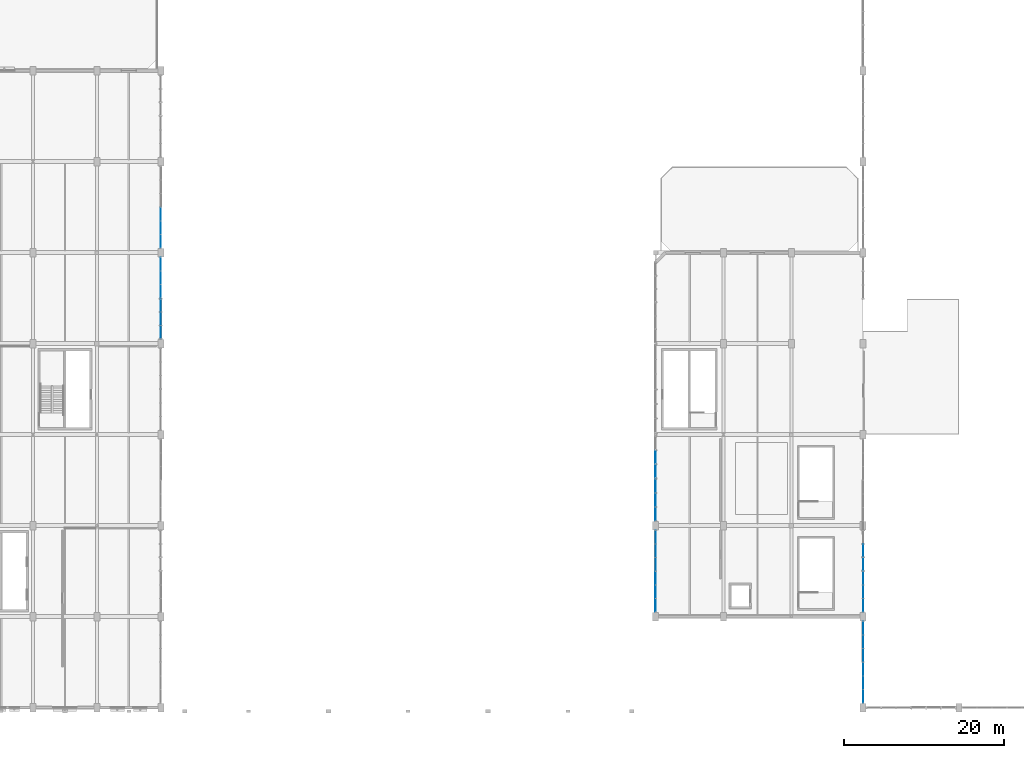
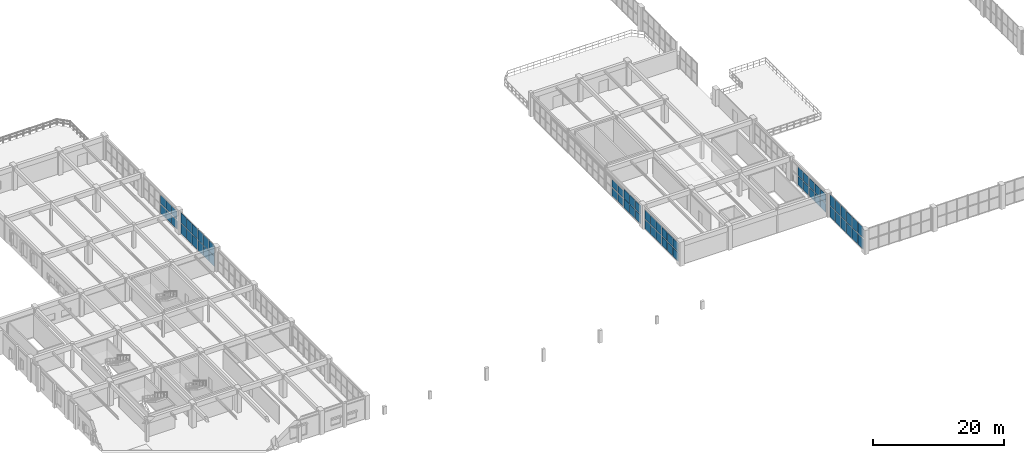
# One storey, part 55 of 80: 62 plates, 11 elements without a shape of their own.
"""IFC4 building model written with IfcOpenShell, lengths in metres."""

from ifc_helpers import new_model, si_unit, direction, frame, origin, origin_2d, place, context, subcontext, project, spatial, rectangle, extrude, material, layer, layer_set, type_object, element, aggregate, save


model = new_model("IFC4")

# Units and contexts
model_context = context("Model", 3, precision=1e-05, world=origin(), true_north=direction((0.0, 1.0)))
body_context = subcontext(model_context, "Body", "Model", "MODEL_VIEW")
ifc_project = project(units=[si_unit("LENGTHUNIT", "METRE"), si_unit("AREAUNIT", "SQUARE_METRE"), si_unit("VOLUMEUNIT", "CUBIC_METRE"), si_unit("PLANEANGLEUNIT", "RADIAN"), si_unit("MASSUNIT", "GRAM", prefix="KILO"), si_unit("POWERUNIT", "WATT"), si_unit("THERMODYNAMICTEMPERATUREUNIT", "KELVIN")], contexts=[model_context])

# Site, building, storey
site_placement = place(None, origin())
site = spatial("IfcSite", under=ifc_project, at=site_placement, CompositionType="ELEMENT")
building_placement = place(site_placement, origin())
building = spatial("IfcBuilding", under=site, at=building_placement, Name="Kelmbourne Parkland Aquatics Centre", CompositionType="ELEMENT")
storey_placement = place(building_placement, frame((0.0, 0.0, 10.199951171875)))
storey = spatial("IfcBuildingStorey", under=building, at=storey_placement, Name="L02", CompositionType="ELEMENT", Elevation=10.199951171875)

# Curtain wall, plates
ifc_material_1 = material(Name="Thermally broken anodised aluminium framing", Category="aluminium")
ifc_layer_1 = layer(ifc_material_1, 0.179931640625)
ifc_layer_set_1 = layer_set([ifc_layer_1], Name="Thermally broken anodised aluminium framing")
curtain_wall_type_1 = type_object("IfcCurtainWallType", Name="CW-05", PredefinedType="NOTDEFINED", material=ifc_layer_set_1)
curtain_wall_1_placement = place(storey_placement, origin())
curtain_wall_1 = element("IfcCurtainWall", 1, at=curtain_wall_1_placement, inside=storey, type_object=curtain_wall_type_1, Name="Wave-hall clerestory curtain wall CW-L02-005", PredefinedType="NOTDEFINED")
ifc_material_2 = material(Name="Double-glazed low-e laminated safety glass", Category="glass")
ifc_layer_2 = layer(ifc_material_2, 0.0419921875)
ifc_layer_set_2 = layer_set([ifc_layer_2], Name="Double-glazed low-e laminated safety glass")
plate_type_1 = type_object("IfcPlateType", Name="PL-CLR-1", PredefinedType="USERDEFINED", material=ifc_layer_set_2)
plate_1_placement = place(storey_placement, frame((128.0, 2.231689453125, 2.30908203125), z_axis=(0.0, 0.0, 1.0), x_axis=(0.0, 1.0, 0.0)))
plate_1 = element("IfcPlate", 2, at=plate_1_placement, type_object=plate_type_1, Name="CW-L02-005 clerestory glazing 1-0", ObjectType="CLERESTORY GLAZING", PredefinedType="USERDEFINED", context=body_context, shape_type="SweptSolid", body=[
    extrude(rectangle(XDim=1.641357421875, YDim=0.0419921875, at=origin_2d()), origin(), (0.0, 0.0, 1.0), 1.964111328125),
])
plate_2_placement = place(storey_placement, frame((128.0, 3.926025390625, 2.30908203125), z_axis=(0.0, 0.0, 1.0), x_axis=(0.0, 1.0, 0.0)))
plate_2 = element("IfcPlate", 3, at=plate_2_placement, type_object=plate_type_1, Name="CW-L02-005 clerestory glazing 1-1", ObjectType="CLERESTORY GLAZING", PredefinedType="USERDEFINED", context=body_context, shape_type="SweptSolid", body=[
    extrude(rectangle(XDim=1.641357421875, YDim=0.0419921875, at=origin_2d()), origin(), (0.0, 0.0, 1.0), 1.964111328125),
])
plate_3_placement = place(storey_placement, frame((128.0, 5.620361328125, 2.30908203125), z_axis=(0.0, 0.0, 1.0), x_axis=(0.0, 1.0, 0.0)))
plate_3 = element("IfcPlate", 4, at=plate_3_placement, type_object=plate_type_1, Name="CW-L02-005 clerestory glazing 1-2", ObjectType="CLERESTORY GLAZING", PredefinedType="USERDEFINED", context=body_context, shape_type="SweptSolid", body=[
    extrude(rectangle(XDim=1.641357421875, YDim=0.0419921875, at=origin_2d()), origin(), (0.0, 0.0, 1.0), 1.964111328125),
])

ifc_layer_3 = layer(ifc_material_1, 0.179931640625)
ifc_layer_set_3 = layer_set([ifc_layer_3], Name="Thermally broken anodised aluminium framing")
curtain_wall_type_2 = type_object("IfcCurtainWallType", Name="CW-12", PredefinedType="NOTDEFINED", material=ifc_layer_set_3)
curtain_wall_2_placement = place(storey_placement, origin())
curtain_wall_2 = element("IfcCurtainWall", 5, at=curtain_wall_2_placement, inside=storey, type_object=curtain_wall_type_2, Name="Wave-hall clerestory curtain wall CW-L02-012", PredefinedType="NOTDEFINED")
plate_4_placement = place(storey_placement, frame((128.0, 7.386474609375, 2.279296875), z_axis=(0.0, 0.0, 1.0), x_axis=(0.0, 1.0, 0.0)))
plate_4 = element("IfcPlate", 6, at=plate_4_placement, type_object=plate_type_1, Name="CW-L02-012 clerestory glazing 1-0", ObjectType="CLERESTORY GLAZING", PredefinedType="USERDEFINED", context=body_context, shape_type="SweptSolid", body=[
    extrude(rectangle(XDim=1.61474609375, YDim=0.0419921875, at=origin_2d()), origin(), (0.0, 0.0, 1.0), 2.053955078125),
])
plate_5_placement = place(storey_placement, frame((128.0, 9.073974609375, 2.279296875), z_axis=(0.0, 0.0, 1.0), x_axis=(0.0, 1.0, 0.0)))
plate_5 = element("IfcPlate", 7, at=plate_5_placement, type_object=plate_type_1, Name="CW-L02-012 clerestory glazing 1-1", ObjectType="CLERESTORY GLAZING", PredefinedType="USERDEFINED", context=body_context, shape_type="SweptSolid", body=[
    extrude(rectangle(XDim=1.614501953125, YDim=0.0419921875, at=origin_2d()), origin(), (0.0, 0.0, 1.0), 2.053955078125),
])
plate_6_placement = place(storey_placement, frame((128.0, 10.76171875, 2.279296875), z_axis=(0.0, 0.0, 1.0), x_axis=(0.0, 1.0, 0.0)))
plate_6 = element("IfcPlate", 8, at=plate_6_placement, type_object=plate_type_1, Name="CW-L02-012 clerestory glazing 1-2", ObjectType="CLERESTORY GLAZING", PredefinedType="USERDEFINED", context=body_context, shape_type="SweptSolid", body=[
    extrude(rectangle(XDim=1.61474609375, YDim=0.0419921875, at=origin_2d()), origin(), (0.0, 0.0, 1.0), 2.053955078125),
])
ifc_layer_4 = layer(ifc_material_2, 0.02392578125)
ifc_layer_set_4 = layer_set([ifc_layer_4], Name="Double-glazed low-e laminated safety glass")
plate_type_2 = type_object("IfcPlateType", Name="PL-CWP-1", PredefinedType="CURTAIN_PANEL", material=ifc_layer_set_4)
plate_7_placement = place(storey_placement, frame((128.0, 7.386474609375, 0.1171875), z_axis=(0.0, 0.0, 1.0), x_axis=(0.0, 1.0, 0.0)))
plate_7 = element("IfcPlate", 9, at=plate_7_placement, type_object=plate_type_2, Name="CW-L02-012 vision glazing 0-0", PredefinedType="CURTAIN_PANEL", context=body_context, shape_type="SweptSolid", body=[
    extrude(rectangle(XDim=1.61474609375, YDim=0.02392578125, at=origin_2d()), origin(), (0.0, 0.0, 1.0), 2.053955078125),
])
plate_8_placement = place(storey_placement, frame((128.0, 9.073974609375, 0.1171875), z_axis=(0.0, 0.0, 1.0), x_axis=(0.0, 1.0, 0.0)))
plate_8 = element("IfcPlate", 10, at=plate_8_placement, type_object=plate_type_2, Name="CW-L02-012 vision glazing 0-1", PredefinedType="CURTAIN_PANEL", context=body_context, shape_type="SweptSolid", body=[
    extrude(rectangle(XDim=1.614501953125, YDim=0.02392578125, at=origin_2d()), origin(), (0.0, 0.0, 1.0), 2.053955078125),
])
plate_9_placement = place(storey_placement, frame((128.0, 10.76171875, 0.1171875), z_axis=(0.0, 0.0, 1.0), x_axis=(0.0, 1.0, 0.0)))
plate_9 = element("IfcPlate", 11, at=plate_9_placement, type_object=plate_type_2, Name="CW-L02-012 vision glazing 0-2", PredefinedType="CURTAIN_PANEL", context=body_context, shape_type="SweptSolid", body=[
    extrude(rectangle(XDim=1.61474609375, YDim=0.02392578125, at=origin_2d()), origin(), (0.0, 0.0, 1.0), 2.053955078125),
])
aggregate(curtain_wall_2, [plate_7, plate_8, plate_9, plate_4, plate_5, plate_6])

ifc_layer_5 = layer(ifc_material_1, 0.179931640625)
ifc_layer_set_5 = layer_set([ifc_layer_5], Name="Thermally broken anodised aluminium framing")
curtain_wall_type_3 = type_object("IfcCurtainWallType", Name="CW-08", PredefinedType="NOTDEFINED", material=ifc_layer_set_5)
curtain_wall_3_placement = place(storey_placement, origin())
curtain_wall_3 = element("IfcCurtainWall", 12, at=curtain_wall_3_placement, inside=storey, type_object=curtain_wall_type_3, Name="Facade curtain wall CW-L02-200", PredefinedType="NOTDEFINED")
plate_10_placement = place(storey_placement, frame((102.0, 13.631591796875, 1.93994140625), z_axis=(0.0, 0.0, 1.0), x_axis=(0.0, 1.0, 0.0)))
plate_10 = element("IfcPlate", 13, at=plate_10_placement, type_object=plate_type_2, Name="CW-L02-200 vision glazing 1-0", PredefinedType="CURTAIN_PANEL", context=body_context, shape_type="SweptSolid", body=[
    extrude(rectangle(XDim=1.641357421875, YDim=0.02392578125, at=origin_2d()), origin(), (0.0, 0.0, 1.0), 1.594970703125),
])
plate_11_placement = place(storey_placement, frame((102.0, 15.325927734375, 1.93994140625), z_axis=(0.0, 0.0, 1.0), x_axis=(0.0, 1.0, 0.0)))
plate_11 = element("IfcPlate", 14, at=plate_11_placement, type_object=plate_type_2, Name="CW-L02-200 vision glazing 1-1", PredefinedType="CURTAIN_PANEL", context=body_context, shape_type="SweptSolid", body=[
    extrude(rectangle(XDim=1.641357421875, YDim=0.02392578125, at=origin_2d()), origin(), (0.0, 0.0, 1.0), 1.594970703125),
])
plate_12_placement = place(storey_placement, frame((102.0, 17.0205078125, 1.93994140625), z_axis=(0.0, 0.0, 1.0), x_axis=(0.0, 1.0, 0.0)))
plate_12 = element("IfcPlate", 15, at=plate_12_placement, type_object=plate_type_2, Name="CW-L02-200 vision glazing 1-2", PredefinedType="CURTAIN_PANEL", context=body_context, shape_type="SweptSolid", body=[
    extrude(rectangle(XDim=1.641357421875, YDim=0.02392578125, at=origin_2d()), origin(), (0.0, 0.0, 1.0), 1.594970703125),
])

ifc_layer_6 = layer(ifc_material_1, 0.179931640625)
ifc_layer_set_6 = layer_set([ifc_layer_6], Name="Thermally broken anodised aluminium framing")
curtain_wall_type_4 = type_object("IfcCurtainWallType", Name="CW-09", PredefinedType="NOTDEFINED", material=ifc_layer_set_6)
curtain_wall_4_placement = place(storey_placement, origin())
curtain_wall_4 = element("IfcCurtainWall", 16, at=curtain_wall_4_placement, inside=storey, type_object=curtain_wall_type_4, Name="Facade curtain wall CW-L02-201", PredefinedType="NOTDEFINED")
plate_13_placement = place(storey_placement, frame((102.0, 18.782958984375, 0.116943359375), z_axis=(0.0, 0.0, 1.0), x_axis=(0.0, 1.0, 0.0)))
plate_13 = element("IfcPlate", 17, at=plate_13_placement, type_object=plate_type_2, Name="CW-L02-201 vision glazing 0-0", PredefinedType="CURTAIN_PANEL", context=body_context, shape_type="SweptSolid", body=[
    extrude(rectangle(XDim=1.6279296875, YDim=0.02392578125, at=origin_2d()), origin(), (0.0, 0.0, 1.0), 1.68505859375),
])
plate_14_placement = place(storey_placement, frame((102.0, 20.47412109375, 0.116943359375), z_axis=(0.0, 0.0, 1.0), x_axis=(0.0, 1.0, 0.0)))
plate_14 = element("IfcPlate", 18, at=plate_14_placement, type_object=plate_type_2, Name="CW-L02-201 vision glazing 0-1", PredefinedType="CURTAIN_PANEL", context=body_context, shape_type="SweptSolid", body=[
    extrude(rectangle(XDim=1.6279296875, YDim=0.02392578125, at=origin_2d()), origin(), (0.0, 0.0, 1.0), 1.68505859375),
])
plate_15_placement = place(storey_placement, frame((102.0, 22.1650390625, 0.116943359375), z_axis=(0.0, 0.0, 1.0), x_axis=(0.0, 1.0, 0.0)))
plate_15 = element("IfcPlate", 19, at=plate_15_placement, type_object=plate_type_2, Name="CW-L02-201 vision glazing 0-2", PredefinedType="CURTAIN_PANEL", context=body_context, shape_type="SweptSolid", body=[
    extrude(rectangle(XDim=1.6279296875, YDim=0.02392578125, at=origin_2d()), origin(), (0.0, 0.0, 1.0), 1.68505859375),
])

ifc_layer_7 = layer(ifc_material_1, 0.179931640625)
ifc_layer_set_7 = layer_set([ifc_layer_7], Name="Thermally broken anodised aluminium framing")
curtain_wall_type_5 = type_object("IfcCurtainWallType", Name="CW-11", PredefinedType="NOTDEFINED", material=ifc_layer_set_7)
curtain_wall_5_placement = place(storey_placement, origin())
curtain_wall_5 = element("IfcCurtainWall", 20, at=curtain_wall_5_placement, inside=storey, type_object=curtain_wall_type_5, Name="Facade curtain wall CW-L02-203", PredefinedType="NOTDEFINED")
plate_16_placement = place(storey_placement, frame((102.0, 30.423095703125, 1.756591796875), z_axis=(0.0, 0.0, 1.0), x_axis=(0.0, 1.0, 0.0)))
plate_16 = element("IfcPlate", 21, at=plate_16_placement, type_object=plate_type_2, Name="CW-L02-203 vision glazing 1-0", PredefinedType="CURTAIN_PANEL", context=body_context, shape_type="SweptSolid", body=[
    extrude(rectangle(XDim=1.66796875, YDim=0.02392578125, at=origin_2d()), origin(), (0.0, 0.0, 1.0), 1.41162109375),
])
plate_17_placement = place(storey_placement, frame((102.0, 32.174072265625, 1.756591796875), z_axis=(0.0, 0.0, 1.0), x_axis=(0.0, 1.0, 0.0)))
plate_17 = element("IfcPlate", 22, at=plate_17_placement, type_object=plate_type_2, Name="CW-L02-203 vision glazing 1-1", PredefinedType="CURTAIN_PANEL", context=body_context, shape_type="SweptSolid", body=[
    extrude(rectangle(XDim=1.66796875, YDim=0.02392578125, at=origin_2d()), origin(), (0.0, 0.0, 1.0), 1.41162109375),
])

ifc_layer_8 = layer(ifc_material_1, 0.179931640625)
ifc_layer_set_8 = layer_set([ifc_layer_8], Name="Thermally broken anodised aluminium framing")
curtain_wall_type_6 = type_object("IfcCurtainWallType", Name="CW-17", PredefinedType="NOTDEFINED", material=ifc_layer_set_8)
curtain_wall_6_placement = place(storey_placement, origin())
curtain_wall_6 = element("IfcCurtainWall", 23, at=curtain_wall_6_placement, inside=storey, type_object=curtain_wall_type_6, Name="Facade curtain wall CW-L02-209", PredefinedType="NOTDEFINED")
plate_18_placement = place(storey_placement, frame((128.0, 18.79296875, 1.93994140625), z_axis=(0.0, 0.0, 1.0), x_axis=(0.0, 1.0, 0.0)))
plate_18 = element("IfcPlate", 24, at=plate_18_placement, type_object=plate_type_2, Name="CW-L02-209 vision glazing 1-0", PredefinedType="CURTAIN_PANEL", context=body_context, shape_type="SweptSolid", body=[
    extrude(rectangle(XDim=1.587890625, YDim=0.02392578125, at=origin_2d()), origin(), (0.0, 0.0, 1.0), 1.594970703125),
])
plate_19_placement = place(storey_placement, frame((128.0, 20.47412109375, 1.93994140625), z_axis=(0.0, 0.0, 1.0), x_axis=(0.0, 1.0, 0.0)))
plate_19 = element("IfcPlate", 25, at=plate_19_placement, type_object=plate_type_2, Name="CW-L02-209 vision glazing 1-1", PredefinedType="CURTAIN_PANEL", context=body_context, shape_type="SweptSolid", body=[
    extrude(rectangle(XDim=1.587890625, YDim=0.02392578125, at=origin_2d()), origin(), (0.0, 0.0, 1.0), 1.594970703125),
])

curtain_wall_7_placement = place(storey_placement, origin())
curtain_wall_7 = element("IfcCurtainWall", 26, at=curtain_wall_7_placement, inside=storey, type_object=curtain_wall_type_4, Name="Facade curtain wall CW-L02-249", PredefinedType="NOTDEFINED")
plate_20_placement = place(storey_placement, frame((40.0, 47.844970703125, 0.1171875), z_axis=(0.0, 0.0, 1.0), x_axis=(0.0, 1.0, 0.0)))
plate_20 = element("IfcPlate", 27, at=plate_20_placement, type_object=plate_type_2, Name="CW-L02-249 vision glazing 0-0", PredefinedType="CURTAIN_PANEL", context=body_context, shape_type="SweptSolid", body=[
    extrude(rectangle(XDim=1.587890625, YDim=0.02392578125, at=origin_2d()), origin(), (0.0, 0.0, 1.0), 1.928955078125),
])
plate_21_placement = place(storey_placement, frame((40.0, 49.52587890625, 0.1171875), z_axis=(0.0, 0.0, 1.0), x_axis=(0.0, 1.0, 0.0)))
plate_21 = element("IfcPlate", 28, at=plate_21_placement, type_object=plate_type_2, Name="CW-L02-249 vision glazing 0-1", PredefinedType="CURTAIN_PANEL", context=body_context, shape_type="SweptSolid", body=[
    extrude(rectangle(XDim=1.587890625, YDim=0.02392578125, at=origin_2d()), origin(), (0.0, 0.0, 1.0), 1.928955078125),
])
plate_22_placement = place(storey_placement, frame((40.0, 51.20703125, 0.1171875), z_axis=(0.0, 0.0, 1.0), x_axis=(0.0, 1.0, 0.0)))
plate_22 = element("IfcPlate", 29, at=plate_22_placement, type_object=plate_type_2, Name="CW-L02-249 vision glazing 0-2", PredefinedType="CURTAIN_PANEL", context=body_context, shape_type="SweptSolid", body=[
    extrude(rectangle(XDim=1.587890625, YDim=0.02392578125, at=origin_2d()), origin(), (0.0, 0.0, 1.0), 1.928955078125),
])

curtain_wall_8_placement = place(storey_placement, origin())
curtain_wall_8 = element("IfcCurtainWall", 30, at=curtain_wall_8_placement, inside=storey, type_object=curtain_wall_type_5, Name="Facade curtain wall CW-L02-251", PredefinedType="NOTDEFINED")
plate_23_placement = place(storey_placement, frame((40.0, 59.235107421875, 1.93994140625), z_axis=(0.0, 0.0, 1.0), x_axis=(0.0, 1.0, 0.0)))
plate_23 = element("IfcPlate", 31, at=plate_23_placement, type_object=plate_type_2, Name="CW-L02-251 vision glazing 1-0", PredefinedType="CURTAIN_PANEL", context=body_context, shape_type="SweptSolid", body=[
    extrude(rectangle(XDim=1.6279296875, YDim=0.02392578125, at=origin_2d()), origin(), (0.0, 0.0, 1.0), 1.594970703125),
])
plate_24_placement = place(storey_placement, frame((40.0, 60.926025390625, 1.93994140625), z_axis=(0.0, 0.0, 1.0), x_axis=(0.0, 1.0, 0.0)))
plate_24 = element("IfcPlate", 32, at=plate_24_placement, type_object=plate_type_2, Name="CW-L02-251 vision glazing 1-1", PredefinedType="CURTAIN_PANEL", context=body_context, shape_type="SweptSolid", body=[
    extrude(rectangle(XDim=1.6279296875, YDim=0.02392578125, at=origin_2d()), origin(), (0.0, 0.0, 1.0), 1.594970703125),
])
plate_25_placement = place(storey_placement, frame((40.0, 62.616943359375, 1.93994140625), z_axis=(0.0, 0.0, 1.0), x_axis=(0.0, 1.0, 0.0)))
plate_25 = element("IfcPlate", 33, at=plate_25_placement, type_object=plate_type_2, Name="CW-L02-251 vision glazing 1-2", PredefinedType="CURTAIN_PANEL", context=body_context, shape_type="SweptSolid", body=[
    extrude(rectangle(XDim=1.6279296875, YDim=0.02392578125, at=origin_2d()), origin(), (0.0, 0.0, 1.0), 1.594970703125),
])

# Plate
ifc_layer_9 = layer(ifc_material_2, 0.035888671875)
ifc_layer_set_9 = layer_set([ifc_layer_9], Name="Double-glazed low-e laminated safety glass")
plate_type_3 = type_object("IfcPlateType", Name="PL-CWP-2", PredefinedType="CURTAIN_PANEL", material=ifc_layer_set_9)
plate_26_placement = place(storey_placement, frame((102.0, 18.782958984375, 1.909912109375), z_axis=(0.0, 0.0, 1.0), x_axis=(0.0, 1.0, 0.0)))
plate_26 = element("IfcPlate", 34, at=plate_26_placement, type_object=plate_type_3, Name="CW-L02-201 vision glazing 1-0", PredefinedType="CURTAIN_PANEL", context=body_context, shape_type="SweptSolid", body=[
    extrude(rectangle(XDim=1.6279296875, YDim=0.035888671875, at=origin_2d()), origin(), (0.0, 0.0, 1.0), 1.68505859375),
])

plate_27_placement = place(storey_placement, frame((102.0, 20.47412109375, 1.909912109375), z_axis=(0.0, 0.0, 1.0), x_axis=(0.0, 1.0, 0.0)))
plate_27 = element("IfcPlate", 35, at=plate_27_placement, type_object=plate_type_3, Name="CW-L02-201 vision glazing 1-1", PredefinedType="CURTAIN_PANEL", context=body_context, shape_type="SweptSolid", body=[
    extrude(rectangle(XDim=1.6279296875, YDim=0.035888671875, at=origin_2d()), origin(), (0.0, 0.0, 1.0), 1.68505859375),
])

plate_28_placement = place(storey_placement, frame((102.0, 22.1650390625, 1.909912109375), z_axis=(0.0, 0.0, 1.0), x_axis=(0.0, 1.0, 0.0)))
plate_28 = element("IfcPlate", 36, at=plate_28_placement, type_object=plate_type_3, Name="CW-L02-201 vision glazing 1-2", PredefinedType="CURTAIN_PANEL", context=body_context, shape_type="SweptSolid", body=[
    extrude(rectangle(XDim=1.6279296875, YDim=0.035888671875, at=origin_2d()), origin(), (0.0, 0.0, 1.0), 1.68505859375),
])

aggregate(curtain_wall_4, [plate_13, plate_14, plate_15, plate_26, plate_27, plate_28])

# Curtain wall, plates
ifc_layer_10 = layer(ifc_material_1, 0.179931640625)
ifc_layer_set_10 = layer_set([ifc_layer_10], Name="Thermally broken anodised aluminium framing")
curtain_wall_type_7 = type_object("IfcCurtainWallType", Name="CW-10", PredefinedType="NOTDEFINED", material=ifc_layer_set_10)
curtain_wall_9_placement = place(storey_placement, origin())
curtain_wall_9 = element("IfcCurtainWall", 37, at=curtain_wall_9_placement, inside=storey, type_object=curtain_wall_type_7, Name="Facade curtain wall CW-L02-202", PredefinedType="NOTDEFINED")
plate_29_placement = place(storey_placement, frame((102.0, 25.07177734375, 0.14697265625), z_axis=(0.0, 0.0, 1.0), x_axis=(0.0, 1.0, 0.0)))
plate_29 = element("IfcPlate", 38, at=plate_29_placement, type_object=plate_type_3, Name="CW-L02-202 vision glazing 0-0", PredefinedType="CURTAIN_PANEL", context=body_context, shape_type="SweptSolid", body=[
    extrude(rectangle(XDim=1.681396484375, YDim=0.035888671875, at=origin_2d()), origin(), (0.0, 0.0, 1.0), 1.639892578125),
])
plate_30_placement = place(storey_placement, frame((102.0, 26.825927734375, 0.14697265625), z_axis=(0.0, 0.0, 1.0), x_axis=(0.0, 1.0, 0.0)))
plate_30 = element("IfcPlate", 39, at=plate_30_placement, type_object=plate_type_3, Name="CW-L02-202 vision glazing 0-1", PredefinedType="CURTAIN_PANEL", context=body_context, shape_type="SweptSolid", body=[
    extrude(rectangle(XDim=1.681396484375, YDim=0.035888671875, at=origin_2d()), origin(), (0.0, 0.0, 1.0), 1.639892578125),
])
plate_31_placement = place(storey_placement, frame((102.0, 28.580322265625, 0.14697265625), z_axis=(0.0, 0.0, 1.0), x_axis=(0.0, 1.0, 0.0)))
plate_31 = element("IfcPlate", 40, at=plate_31_placement, type_object=plate_type_3, Name="CW-L02-202 vision glazing 0-2", PredefinedType="CURTAIN_PANEL", context=body_context, shape_type="SweptSolid", body=[
    extrude(rectangle(XDim=1.681396484375, YDim=0.035888671875, at=origin_2d()), origin(), (0.0, 0.0, 1.0), 1.639892578125),
])

ifc_layer_11 = layer(ifc_material_1, 0.179931640625)
ifc_layer_set_11 = layer_set([ifc_layer_11], Name="Thermally broken anodised aluminium framing")
curtain_wall_type_8 = type_object("IfcCurtainWallType", Name="CW-16", PredefinedType="NOTDEFINED", material=ifc_layer_set_11)
curtain_wall_10_placement = place(storey_placement, origin())
curtain_wall_10 = element("IfcCurtainWall", 41, at=curtain_wall_10_placement, inside=storey, type_object=curtain_wall_type_8, Name="Facade curtain wall CW-L02-208", PredefinedType="NOTDEFINED")
plate_32_placement = place(storey_placement, frame((128.0, 13.6416015625, 0.14697265625), z_axis=(0.0, 0.0, 1.0), x_axis=(0.0, 1.0, 0.0)))
plate_32 = element("IfcPlate", 42, at=plate_32_placement, type_object=plate_type_3, Name="CW-L02-208 vision glazing 0-0", PredefinedType="CURTAIN_PANEL", context=body_context, shape_type="SweptSolid", body=[
    extrude(rectangle(XDim=1.601318359375, YDim=0.035888671875, at=origin_2d()), origin(), (0.0, 0.0, 1.0), 1.639892578125),
])
plate_33_placement = place(storey_placement, frame((128.0, 15.325927734375, 0.14697265625), z_axis=(0.0, 0.0, 1.0), x_axis=(0.0, 1.0, 0.0)))
plate_33 = element("IfcPlate", 43, at=plate_33_placement, type_object=plate_type_3, Name="CW-L02-208 vision glazing 0-1", PredefinedType="CURTAIN_PANEL", context=body_context, shape_type="SweptSolid", body=[
    extrude(rectangle(XDim=1.601318359375, YDim=0.035888671875, at=origin_2d()), origin(), (0.0, 0.0, 1.0), 1.639892578125),
])
plate_34_placement = place(storey_placement, frame((128.0, 17.010498046875, 0.14697265625), z_axis=(0.0, 0.0, 1.0), x_axis=(0.0, 1.0, 0.0)))
plate_34 = element("IfcPlate", 44, at=plate_34_placement, type_object=plate_type_3, Name="CW-L02-208 vision glazing 0-2", PredefinedType="CURTAIN_PANEL", context=body_context, shape_type="SweptSolid", body=[
    extrude(rectangle(XDim=1.601318359375, YDim=0.035888671875, at=origin_2d()), origin(), (0.0, 0.0, 1.0), 1.639892578125),
])

# Plate
plate_35_placement = place(storey_placement, frame((40.0, 47.844970703125, 2.154296875), z_axis=(0.0, 0.0, 1.0), x_axis=(0.0, 1.0, 0.0)))
plate_35 = element("IfcPlate", 45, at=plate_35_placement, type_object=plate_type_3, Name="CW-L02-249 vision glazing 1-0", PredefinedType="CURTAIN_PANEL", context=body_context, shape_type="SweptSolid", body=[
    extrude(rectangle(XDim=1.587890625, YDim=0.035888671875, at=origin_2d()), origin(), (0.0, 0.0, 1.0), 1.928955078125),
])

plate_36_placement = place(storey_placement, frame((40.0, 49.52587890625, 2.154296875), z_axis=(0.0, 0.0, 1.0), x_axis=(0.0, 1.0, 0.0)))
plate_36 = element("IfcPlate", 46, at=plate_36_placement, type_object=plate_type_3, Name="CW-L02-249 vision glazing 1-1", PredefinedType="CURTAIN_PANEL", context=body_context, shape_type="SweptSolid", body=[
    extrude(rectangle(XDim=1.587890625, YDim=0.035888671875, at=origin_2d()), origin(), (0.0, 0.0, 1.0), 1.928955078125),
])

plate_37_placement = place(storey_placement, frame((40.0, 51.20703125, 2.154296875), z_axis=(0.0, 0.0, 1.0), x_axis=(0.0, 1.0, 0.0)))
plate_37 = element("IfcPlate", 47, at=plate_37_placement, type_object=plate_type_3, Name="CW-L02-249 vision glazing 1-2", PredefinedType="CURTAIN_PANEL", context=body_context, shape_type="SweptSolid", body=[
    extrude(rectangle(XDim=1.587890625, YDim=0.035888671875, at=origin_2d()), origin(), (0.0, 0.0, 1.0), 1.928955078125),
])

aggregate(curtain_wall_7, [plate_20, plate_21, plate_22, plate_35, plate_36, plate_37])

# Curtain wall, plates
curtain_wall_11_placement = place(storey_placement, origin())
curtain_wall_11 = element("IfcCurtainWall", 48, at=curtain_wall_11_placement, inside=storey, type_object=curtain_wall_type_7, Name="Facade curtain wall CW-L02-250", PredefinedType="NOTDEFINED")
plate_38_placement = place(storey_placement, frame((40.0, 52.9794921875, 0.14697265625), z_axis=(0.0, 0.0, 1.0), x_axis=(0.0, 1.0, 0.0)))
plate_38 = element("IfcPlate", 49, at=plate_38_placement, type_object=plate_type_3, Name="CW-L02-250 vision glazing 0-0", PredefinedType="CURTAIN_PANEL", context=body_context, shape_type="SweptSolid", body=[
    extrude(rectangle(XDim=1.641357421875, YDim=0.035888671875, at=origin_2d()), origin(), (0.0, 0.0, 1.0), 1.884033203125),
])
plate_39_placement = place(storey_placement, frame((40.0, 54.674072265625, 0.14697265625), z_axis=(0.0, 0.0, 1.0), x_axis=(0.0, 1.0, 0.0)))
plate_39 = element("IfcPlate", 50, at=plate_39_placement, type_object=plate_type_3, Name="CW-L02-250 vision glazing 0-1", PredefinedType="CURTAIN_PANEL", context=body_context, shape_type="SweptSolid", body=[
    extrude(rectangle(XDim=1.641357421875, YDim=0.035888671875, at=origin_2d()), origin(), (0.0, 0.0, 1.0), 1.884033203125),
])
plate_40_placement = place(storey_placement, frame((40.0, 56.368408203125, 0.14697265625), z_axis=(0.0, 0.0, 1.0), x_axis=(0.0, 1.0, 0.0)))
plate_40 = element("IfcPlate", 51, at=plate_40_placement, type_object=plate_type_3, Name="CW-L02-250 vision glazing 0-2", PredefinedType="CURTAIN_PANEL", context=body_context, shape_type="SweptSolid", body=[
    extrude(rectangle(XDim=1.641357421875, YDim=0.035888671875, at=origin_2d()), origin(), (0.0, 0.0, 1.0), 1.884033203125),
])

# Plate
ifc_layer_12 = layer(ifc_material_2, 0.048095703125)
ifc_layer_set_12 = layer_set([ifc_layer_12], Name="Double-glazed low-e laminated safety glass")
plate_type_4 = type_object("IfcPlateType", Name="PL-CWP-3", PredefinedType="CURTAIN_PANEL", material=ifc_layer_set_12)
plate_41_placement = place(storey_placement, frame((128.0, 2.231689453125, 0.1767578125), z_axis=(0.0, 0.0, 1.0), x_axis=(0.0, 1.0, 0.0)))
plate_41 = element("IfcPlate", 52, at=plate_41_placement, type_object=plate_type_4, Name="CW-L02-005 vision glazing 0-0", PredefinedType="CURTAIN_PANEL", context=body_context, shape_type="SweptSolid", body=[
    extrude(rectangle(XDim=1.641357421875, YDim=0.048095703125, at=origin_2d()), origin(), (0.0, 0.0, 1.0), 1.964111328125),
])

plate_42_placement = place(storey_placement, frame((128.0, 3.926025390625, 0.1767578125), z_axis=(0.0, 0.0, 1.0), x_axis=(0.0, 1.0, 0.0)))
plate_42 = element("IfcPlate", 53, at=plate_42_placement, type_object=plate_type_4, Name="CW-L02-005 vision glazing 0-1", PredefinedType="CURTAIN_PANEL", context=body_context, shape_type="SweptSolid", body=[
    extrude(rectangle(XDim=1.641357421875, YDim=0.048095703125, at=origin_2d()), origin(), (0.0, 0.0, 1.0), 1.964111328125),
])

plate_43_placement = place(storey_placement, frame((128.0, 5.620361328125, 0.1767578125), z_axis=(0.0, 0.0, 1.0), x_axis=(0.0, 1.0, 0.0)))
plate_43 = element("IfcPlate", 54, at=plate_43_placement, type_object=plate_type_4, Name="CW-L02-005 vision glazing 0-2", PredefinedType="CURTAIN_PANEL", context=body_context, shape_type="SweptSolid", body=[
    extrude(rectangle(XDim=1.641357421875, YDim=0.048095703125, at=origin_2d()), origin(), (0.0, 0.0, 1.0), 1.964111328125),
])

aggregate(curtain_wall_1, [plate_41, plate_42, plate_43, plate_1, plate_2, plate_3])

plate_44_placement = place(storey_placement, frame((102.0, 13.631591796875, 0.17724609375), z_axis=(0.0, 0.0, 1.0), x_axis=(0.0, 1.0, 0.0)))
plate_44 = element("IfcPlate", 55, at=plate_44_placement, type_object=plate_type_4, Name="CW-L02-200 vision glazing 0-0", PredefinedType="CURTAIN_PANEL", context=body_context, shape_type="SweptSolid", body=[
    extrude(rectangle(XDim=1.641357421875, YDim=0.048095703125, at=origin_2d()), origin(), (0.0, 0.0, 1.0), 1.594970703125),
])

plate_45_placement = place(storey_placement, frame((102.0, 15.325927734375, 0.17724609375), z_axis=(0.0, 0.0, 1.0), x_axis=(0.0, 1.0, 0.0)))
plate_45 = element("IfcPlate", 56, at=plate_45_placement, type_object=plate_type_4, Name="CW-L02-200 vision glazing 0-1", PredefinedType="CURTAIN_PANEL", context=body_context, shape_type="SweptSolid", body=[
    extrude(rectangle(XDim=1.641357421875, YDim=0.048095703125, at=origin_2d()), origin(), (0.0, 0.0, 1.0), 1.594970703125),
])

plate_46_placement = place(storey_placement, frame((102.0, 17.0205078125, 0.17724609375), z_axis=(0.0, 0.0, 1.0), x_axis=(0.0, 1.0, 0.0)))
plate_46 = element("IfcPlate", 57, at=plate_46_placement, type_object=plate_type_4, Name="CW-L02-200 vision glazing 0-2", PredefinedType="CURTAIN_PANEL", context=body_context, shape_type="SweptSolid", body=[
    extrude(rectangle(XDim=1.641357421875, YDim=0.048095703125, at=origin_2d()), origin(), (0.0, 0.0, 1.0), 1.594970703125),
])

aggregate(curtain_wall_3, [plate_44, plate_45, plate_46, plate_10, plate_11, plate_12])

plate_47_placement = place(storey_placement, frame((102.0, 25.07177734375, 1.92529296875), z_axis=(0.0, 0.0, 1.0), x_axis=(0.0, 1.0, 0.0)))
plate_47 = element("IfcPlate", 58, at=plate_47_placement, type_object=plate_type_4, Name="CW-L02-202 vision glazing 1-0", PredefinedType="CURTAIN_PANEL", context=body_context, shape_type="SweptSolid", body=[
    extrude(rectangle(XDim=1.681396484375, YDim=0.048095703125, at=origin_2d()), origin(), (0.0, 0.0, 1.0), 1.639892578125),
])

plate_48_placement = place(storey_placement, frame((102.0, 26.825927734375, 1.92529296875), z_axis=(0.0, 0.0, 1.0), x_axis=(0.0, 1.0, 0.0)))
plate_48 = element("IfcPlate", 59, at=plate_48_placement, type_object=plate_type_4, Name="CW-L02-202 vision glazing 1-1", PredefinedType="CURTAIN_PANEL", context=body_context, shape_type="SweptSolid", body=[
    extrude(rectangle(XDim=1.681396484375, YDim=0.048095703125, at=origin_2d()), origin(), (0.0, 0.0, 1.0), 1.639892578125),
])

plate_49_placement = place(storey_placement, frame((102.0, 28.580322265625, 1.92529296875), z_axis=(0.0, 0.0, 1.0), x_axis=(0.0, 1.0, 0.0)))
plate_49 = element("IfcPlate", 60, at=plate_49_placement, type_object=plate_type_4, Name="CW-L02-202 vision glazing 1-2", PredefinedType="CURTAIN_PANEL", context=body_context, shape_type="SweptSolid", body=[
    extrude(rectangle(XDim=1.681396484375, YDim=0.048095703125, at=origin_2d()), origin(), (0.0, 0.0, 1.0), 1.639892578125),
])

aggregate(curtain_wall_9, [plate_29, plate_30, plate_31, plate_47, plate_48, plate_49])

plate_50_placement = place(storey_placement, frame((102.0, 30.423095703125, 0.177001953125), z_axis=(0.0, 0.0, 1.0), x_axis=(0.0, 1.0, 0.0)))
plate_50 = element("IfcPlate", 61, at=plate_50_placement, type_object=plate_type_4, Name="CW-L02-203 vision glazing 0-0", PredefinedType="CURTAIN_PANEL", context=body_context, shape_type="SweptSolid", body=[
    extrude(rectangle(XDim=1.66796875, YDim=0.048095703125, at=origin_2d()), origin(), (0.0, 0.0, 1.0), 1.41162109375),
])

plate_51_placement = place(storey_placement, frame((102.0, 32.174072265625, 0.177001953125), z_axis=(0.0, 0.0, 1.0), x_axis=(0.0, 1.0, 0.0)))
plate_51 = element("IfcPlate", 62, at=plate_51_placement, type_object=plate_type_4, Name="CW-L02-203 vision glazing 0-1", PredefinedType="CURTAIN_PANEL", context=body_context, shape_type="SweptSolid", body=[
    extrude(rectangle(XDim=1.66796875, YDim=0.048095703125, at=origin_2d()), origin(), (0.0, 0.0, 1.0), 1.41162109375),
])

aggregate(curtain_wall_5, [plate_50, plate_51, plate_16, plate_17])

plate_52_placement = place(storey_placement, frame((128.0, 13.6416015625, 1.92529296875), z_axis=(0.0, 0.0, 1.0), x_axis=(0.0, 1.0, 0.0)))
plate_52 = element("IfcPlate", 63, at=plate_52_placement, type_object=plate_type_4, Name="CW-L02-208 vision glazing 1-0", PredefinedType="CURTAIN_PANEL", context=body_context, shape_type="SweptSolid", body=[
    extrude(rectangle(XDim=1.601318359375, YDim=0.048095703125, at=origin_2d()), origin(), (0.0, 0.0, 1.0), 1.639892578125),
])

plate_53_placement = place(storey_placement, frame((128.0, 15.325927734375, 1.92529296875), z_axis=(0.0, 0.0, 1.0), x_axis=(0.0, 1.0, 0.0)))
plate_53 = element("IfcPlate", 64, at=plate_53_placement, type_object=plate_type_4, Name="CW-L02-208 vision glazing 1-1", PredefinedType="CURTAIN_PANEL", context=body_context, shape_type="SweptSolid", body=[
    extrude(rectangle(XDim=1.601318359375, YDim=0.048095703125, at=origin_2d()), origin(), (0.0, 0.0, 1.0), 1.639892578125),
])

plate_54_placement = place(storey_placement, frame((128.0, 17.010498046875, 1.92529296875), z_axis=(0.0, 0.0, 1.0), x_axis=(0.0, 1.0, 0.0)))
plate_54 = element("IfcPlate", 65, at=plate_54_placement, type_object=plate_type_4, Name="CW-L02-208 vision glazing 1-2", PredefinedType="CURTAIN_PANEL", context=body_context, shape_type="SweptSolid", body=[
    extrude(rectangle(XDim=1.601318359375, YDim=0.048095703125, at=origin_2d()), origin(), (0.0, 0.0, 1.0), 1.639892578125),
])

aggregate(curtain_wall_10, [plate_32, plate_33, plate_34, plate_52, plate_53, plate_54])

plate_55_placement = place(storey_placement, frame((128.0, 18.79296875, 0.17724609375), z_axis=(0.0, 0.0, 1.0), x_axis=(0.0, 1.0, 0.0)))
plate_55 = element("IfcPlate", 66, at=plate_55_placement, type_object=plate_type_4, Name="CW-L02-209 vision glazing 0-0", PredefinedType="CURTAIN_PANEL", context=body_context, shape_type="SweptSolid", body=[
    extrude(rectangle(XDim=1.587890625, YDim=0.048095703125, at=origin_2d()), origin(), (0.0, 0.0, 1.0), 1.594970703125),
])

plate_56_placement = place(storey_placement, frame((128.0, 20.47412109375, 0.17724609375), z_axis=(0.0, 0.0, 1.0), x_axis=(0.0, 1.0, 0.0)))
plate_56 = element("IfcPlate", 67, at=plate_56_placement, type_object=plate_type_4, Name="CW-L02-209 vision glazing 0-1", PredefinedType="CURTAIN_PANEL", context=body_context, shape_type="SweptSolid", body=[
    extrude(rectangle(XDim=1.587890625, YDim=0.048095703125, at=origin_2d()), origin(), (0.0, 0.0, 1.0), 1.594970703125),
])

aggregate(curtain_wall_6, [plate_55, plate_56, plate_18, plate_19])

plate_57_placement = place(storey_placement, frame((40.0, 52.9794921875, 2.1689453125), z_axis=(0.0, 0.0, 1.0), x_axis=(0.0, 1.0, 0.0)))
plate_57 = element("IfcPlate", 68, at=plate_57_placement, type_object=plate_type_4, Name="CW-L02-250 vision glazing 1-0", PredefinedType="CURTAIN_PANEL", context=body_context, shape_type="SweptSolid", body=[
    extrude(rectangle(XDim=1.641357421875, YDim=0.048095703125, at=origin_2d()), origin(), (0.0, 0.0, 1.0), 1.884033203125),
])

plate_58_placement = place(storey_placement, frame((40.0, 54.674072265625, 2.1689453125), z_axis=(0.0, 0.0, 1.0), x_axis=(0.0, 1.0, 0.0)))
plate_58 = element("IfcPlate", 69, at=plate_58_placement, type_object=plate_type_4, Name="CW-L02-250 vision glazing 1-1", PredefinedType="CURTAIN_PANEL", context=body_context, shape_type="SweptSolid", body=[
    extrude(rectangle(XDim=1.641357421875, YDim=0.048095703125, at=origin_2d()), origin(), (0.0, 0.0, 1.0), 1.884033203125),
])

plate_59_placement = place(storey_placement, frame((40.0, 56.368408203125, 2.1689453125), z_axis=(0.0, 0.0, 1.0), x_axis=(0.0, 1.0, 0.0)))
plate_59 = element("IfcPlate", 70, at=plate_59_placement, type_object=plate_type_4, Name="CW-L02-250 vision glazing 1-2", PredefinedType="CURTAIN_PANEL", context=body_context, shape_type="SweptSolid", body=[
    extrude(rectangle(XDim=1.641357421875, YDim=0.048095703125, at=origin_2d()), origin(), (0.0, 0.0, 1.0), 1.884033203125),
])

aggregate(curtain_wall_11, [plate_38, plate_39, plate_40, plate_57, plate_58, plate_59])

plate_60_placement = place(storey_placement, frame((40.0, 59.235107421875, 0.17724609375), z_axis=(0.0, 0.0, 1.0), x_axis=(0.0, 1.0, 0.0)))
plate_60 = element("IfcPlate", 71, at=plate_60_placement, type_object=plate_type_4, Name="CW-L02-251 vision glazing 0-0", PredefinedType="CURTAIN_PANEL", context=body_context, shape_type="SweptSolid", body=[
    extrude(rectangle(XDim=1.6279296875, YDim=0.048095703125, at=origin_2d()), origin(), (0.0, 0.0, 1.0), 1.594970703125),
])

plate_61_placement = place(storey_placement, frame((40.0, 60.926025390625, 0.17724609375), z_axis=(0.0, 0.0, 1.0), x_axis=(0.0, 1.0, 0.0)))
plate_61 = element("IfcPlate", 72, at=plate_61_placement, type_object=plate_type_4, Name="CW-L02-251 vision glazing 0-1", PredefinedType="CURTAIN_PANEL", context=body_context, shape_type="SweptSolid", body=[
    extrude(rectangle(XDim=1.6279296875, YDim=0.048095703125, at=origin_2d()), origin(), (0.0, 0.0, 1.0), 1.594970703125),
])

plate_62_placement = place(storey_placement, frame((40.0, 62.616943359375, 0.17724609375), z_axis=(0.0, 0.0, 1.0), x_axis=(0.0, 1.0, 0.0)))
plate_62 = element("IfcPlate", 73, at=plate_62_placement, type_object=plate_type_4, Name="CW-L02-251 vision glazing 0-2", PredefinedType="CURTAIN_PANEL", context=body_context, shape_type="SweptSolid", body=[
    extrude(rectangle(XDim=1.6279296875, YDim=0.048095703125, at=origin_2d()), origin(), (0.0, 0.0, 1.0), 1.594970703125),
])

aggregate(curtain_wall_8, [plate_60, plate_61, plate_62, plate_23, plate_24, plate_25])

save(model, "model.ifc")
